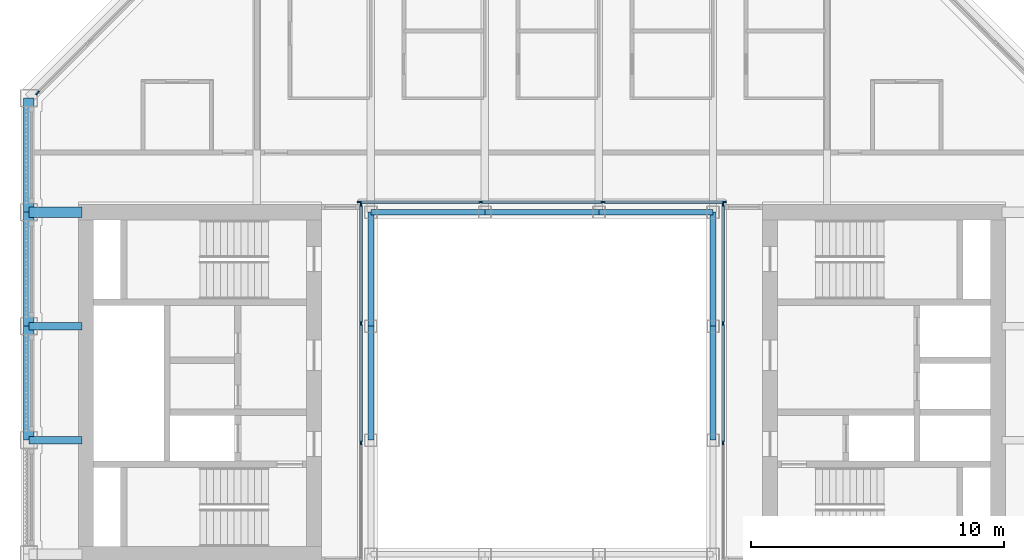
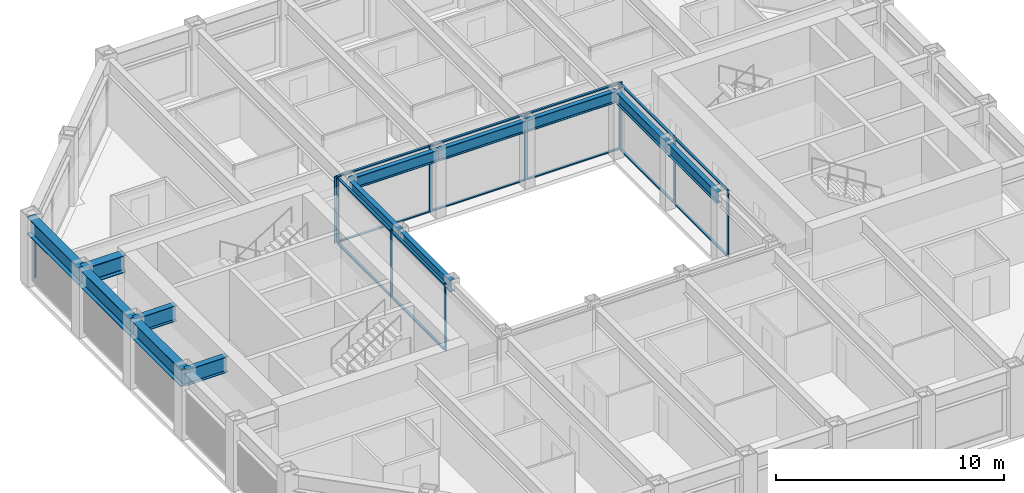
# One storey, part 4 of 18: 25 members, 13 beams, 4 elements without a shape of their own.
"""IFC4 building model written with IfcOpenShell, lengths in metres."""

from ifc_helpers import new_model, si_unit, direction, frame, origin, origin_2d, place, context, subcontext, project, spatial, rectangle, i_section, extrude, material, material_profile, profile_set, type_object, element, aggregate, save


model = new_model("IFC4")

# Units and contexts
model_context = context("Model", 3, precision=1e-05, world=origin(), true_north=direction((0.0, 1.0)))
body_context = subcontext(model_context, "Body", "Model", "MODEL_VIEW")
ifc_project = project(units=[si_unit("LENGTHUNIT", "METRE"), si_unit("AREAUNIT", "SQUARE_METRE"), si_unit("VOLUMEUNIT", "CUBIC_METRE"), si_unit("PLANEANGLEUNIT", "RADIAN"), si_unit("MASSUNIT", "GRAM", prefix="KILO")], contexts=[model_context])

# Site, building, storey
site_placement = place(None, origin())
site = spatial("IfcSite", under=ifc_project, at=site_placement, CompositionType="ELEMENT")
building_placement = place(site_placement, origin())
building = spatial("IfcBuilding", under=site, at=building_placement, Name="Msasa Ring Tower", CompositionType="ELEMENT")
storey_placement = place(building_placement, frame((0.0, 0.0, 249.550048828125)))
storey = spatial("IfcBuildingStorey", under=building, at=storey_placement, Name="L65", CompositionType="ELEMENT", Elevation=249.550048828125)

# Curtain wall, member
ifc_material_1 = material(Name="Aluminium curtain wall with clear glass", Category="aluminium")
curtain_wall_type_1 = type_object("IfcCurtainWallType", Name="CW-C CHAMFER CORNER CURTAIN WALL", PredefinedType="NOTDEFINED", material=ifc_material_1)
curtain_wall_1_placement = place(storey_placement, origin())
curtain_wall_1 = element("IfcCurtainWall", 1, at=curtain_wall_1_placement, inside=storey, type_object=curtain_wall_type_1, Name="Chamfer corner curtain wall NW L65", PredefinedType="NOTDEFINED")
ifc_material_2 = material(Name="Aluminium mullion", Category="aluminium")
ifc_material_profile_1 = material_profile(ifc_material_2, rectangle(XDim=0.06494140625, YDim=0.179931640625, at=origin_2d()), Name="AL 65x180")
ifc_profile_set_1 = profile_set([ifc_material_profile_1], Name="Aluminium mullion")
member_type_1 = type_object("IfcMemberType", Name="CW-C MULLION 65x180", PredefinedType="MULLION", material=ifc_profile_set_1)
member_1_placement = place(storey_placement, frame((-19.9052734375, 11.453369140625, 0.0), z_axis=(0.0, 0.0, 1.0), x_axis=(0.707106781187, -0.707106781187, 0.0)))
member_1 = element("IfcMember", 2, at=member_1_placement, type_object=member_type_1, Name="CW-C mullion 3", PredefinedType="MULLION", context=body_context, shape_type="SweptSolid", body=[
    extrude(rectangle(XDim=0.06494140625, YDim=0.179931640625, at=origin_2d()), origin(), (0.0, 0.0, 1.0), 2.62890625),
])
aggregate(curtain_wall_1, [member_1])

# Curtain wall, members
ifc_material_3 = material(Name="Aluminium curtain wall with clear glass", Category="aluminium")
curtain_wall_type_2 = type_object("IfcCurtainWallType", Name="CW-W LIGHT WELL CURTAIN WALL", PredefinedType="NOTDEFINED", material=ifc_material_3)
curtain_wall_2_placement = place(storey_placement, origin())
curtain_wall_2 = element("IfcCurtainWall", 3, at=curtain_wall_2_placement, inside=storey, type_object=curtain_wall_type_2, Name="Light well curtain wall N L65", PredefinedType="NOTDEFINED")
ifc_material_4 = material(Name="Aluminium mullion", Category="aluminium")
ifc_material_profile_2 = material_profile(ifc_material_4, rectangle(XDim=0.06005859375, YDim=0.159912109375, at=origin_2d()), Name="AL 60x160")
ifc_profile_set_2 = profile_set([ifc_material_profile_2], Name="Aluminium mullion")
member_type_2 = type_object("IfcMemberType", Name="CW-W MULLION 60x160", PredefinedType="MULLION", material=ifc_profile_set_2)
member_2_placement = place(storey_placement, frame((-7.199951171875, 7.14990234375, 0.0), z_axis=(0.0, 0.0, 1.0), x_axis=(0.0, 1.0, 0.0)))
member_2 = element("IfcMember", 4, at=member_2_placement, type_object=member_type_2, Name="CW-W mullion 1", PredefinedType="MULLION", context=body_context, shape_type="SweptSolid", body=[
    extrude(rectangle(XDim=0.06005859375, YDim=0.159912109375, at=origin_2d()), origin(), (0.0, 0.0, 1.0), 3.550048828125),
])
member_3_placement = place(storey_placement, frame((-2.409912109375, 7.14990234375, 0.0), z_axis=(0.0, 0.0, 1.0), x_axis=(0.0, 1.0, 0.0)))
member_3 = element("IfcMember", 5, at=member_3_placement, type_object=member_type_2, Name="CW-W mullion 2", PredefinedType="MULLION", context=body_context, shape_type="SweptSolid", body=[
    extrude(rectangle(XDim=0.06005859375, YDim=0.159912109375, at=origin_2d()), origin(), (0.0, 0.0, 1.0), 3.550048828125),
])
member_4_placement = place(storey_placement, frame((2.409912109375, 7.14990234375, 0.0), z_axis=(0.0, 0.0, 1.0), x_axis=(0.0, 1.0, 0.0)))
member_4 = element("IfcMember", 6, at=member_4_placement, type_object=member_type_2, Name="CW-W mullion 3", PredefinedType="MULLION", context=body_context, shape_type="SweptSolid", body=[
    extrude(rectangle(XDim=0.06005859375, YDim=0.159912109375, at=origin_2d()), origin(), (0.0, 0.0, 1.0), 3.550048828125),
])
member_5_placement = place(storey_placement, frame((7.199951171875, 7.14990234375, 0.0), z_axis=(0.0, 0.0, 1.0), x_axis=(0.0, 1.0, 0.0)))
member_5 = element("IfcMember", 7, at=member_5_placement, type_object=member_type_2, Name="CW-W mullion 4", PredefinedType="MULLION", context=body_context, shape_type="SweptSolid", body=[
    extrude(rectangle(XDim=0.06005859375, YDim=0.159912109375, at=origin_2d()), origin(), (0.0, 0.0, 1.0), 3.550048828125),
])

curtain_wall_3_placement = place(storey_placement, origin())
curtain_wall_3 = element("IfcCurtainWall", 8, at=curtain_wall_3_placement, inside=storey, type_object=curtain_wall_type_2, Name="Light well curtain wall E L65", PredefinedType="NOTDEFINED")
member_6_placement = place(storey_placement, frame((7.14990234375, -2.356689453125, 0.0), z_axis=(0.0, 0.0, 1.0), x_axis=(-1.0, 0.0, 0.0)))
member_6 = element("IfcMember", 9, at=member_6_placement, type_object=member_type_2, Name="CW-W mullion 2", PredefinedType="MULLION", context=body_context, shape_type="SweptSolid", body=[
    extrude(rectangle(XDim=0.06005859375, YDim=0.159912109375, at=origin_2d()), origin(), (0.0, 0.0, 1.0), 3.550048828125),
])
member_7_placement = place(storey_placement, frame((7.14990234375, 2.356689453125, 0.0), z_axis=(0.0, 0.0, 1.0), x_axis=(-1.0, 0.0, 0.0)))
member_7 = element("IfcMember", 10, at=member_7_placement, type_object=member_type_2, Name="CW-W mullion 3", PredefinedType="MULLION", context=body_context, shape_type="SweptSolid", body=[
    extrude(rectangle(XDim=0.06005859375, YDim=0.159912109375, at=origin_2d()), origin(), (0.0, 0.0, 1.0), 3.550048828125),
])
member_8_placement = place(storey_placement, frame((7.14990234375, 7.0400390625, 0.0), z_axis=(0.0, 0.0, 1.0), x_axis=(-1.0, 0.0, 0.0)))
member_8 = element("IfcMember", 11, at=member_8_placement, type_object=member_type_2, Name="CW-W mullion 4", PredefinedType="MULLION", context=body_context, shape_type="SweptSolid", body=[
    extrude(rectangle(XDim=0.06005859375, YDim=0.159912109375, at=origin_2d()), origin(), (0.0, 0.0, 1.0), 3.550048828125),
])

curtain_wall_4_placement = place(storey_placement, origin())
curtain_wall_4 = element("IfcCurtainWall", 12, at=curtain_wall_4_placement, inside=storey, type_object=curtain_wall_type_2, Name="Light well curtain wall W L65", PredefinedType="NOTDEFINED")
member_9_placement = place(storey_placement, frame((-7.14990234375, -2.356689453125, 0.0), z_axis=(0.0, 0.0, 1.0), x_axis=(-1.0, 0.0, 0.0)))
member_9 = element("IfcMember", 13, at=member_9_placement, type_object=member_type_2, Name="CW-W mullion 2", PredefinedType="MULLION", context=body_context, shape_type="SweptSolid", body=[
    extrude(rectangle(XDim=0.06005859375, YDim=0.159912109375, at=origin_2d()), origin(), (0.0, 0.0, 1.0), 3.550048828125),
])
member_10_placement = place(storey_placement, frame((-7.14990234375, 2.356689453125, 0.0), z_axis=(0.0, 0.0, 1.0), x_axis=(-1.0, 0.0, 0.0)))
member_10 = element("IfcMember", 14, at=member_10_placement, type_object=member_type_2, Name="CW-W mullion 3", PredefinedType="MULLION", context=body_context, shape_type="SweptSolid", body=[
    extrude(rectangle(XDim=0.06005859375, YDim=0.159912109375, at=origin_2d()), origin(), (0.0, 0.0, 1.0), 3.550048828125),
])
member_11_placement = place(storey_placement, frame((-7.14990234375, 7.0400390625, 0.0), z_axis=(0.0, 0.0, 1.0), x_axis=(-1.0, 0.0, 0.0)))
member_11 = element("IfcMember", 15, at=member_11_placement, type_object=member_type_2, Name="CW-W mullion 4", PredefinedType="MULLION", context=body_context, shape_type="SweptSolid", body=[
    extrude(rectangle(XDim=0.06005859375, YDim=0.159912109375, at=origin_2d()), origin(), (0.0, 0.0, 1.0), 3.550048828125),
])

# Member
ifc_material_5 = material(Name="Aluminium transom", Category="aluminium")
ifc_material_profile_3 = material_profile(ifc_material_5, rectangle(XDim=0.1201171875, YDim=0.06005859375, at=origin_2d()), Name="AL 60x120")
ifc_profile_set_3 = profile_set([ifc_material_profile_3], Name="Aluminium transom")
member_type_3 = type_object("IfcMemberType", Name="CW-W TRANSOM 60x120", PredefinedType="USERDEFINED", material=ifc_profile_set_3)
member_12_placement = place(storey_placement, frame((-7.169921875, 7.14990234375, 0.030029296875), z_axis=(1.0, 0.0, 0.0), x_axis=(0.0, 1.0, 0.0)))
member_12 = element("IfcMember", 16, at=member_12_placement, type_object=member_type_3, Name="CW-W transom 1.1", ObjectType="TRANSOM", PredefinedType="USERDEFINED", context=body_context, shape_type="SweptSolid", body=[
    extrude(rectangle(XDim=0.1201171875, YDim=0.06005859375, at=origin_2d()), origin(), (0.0, 0.0, 1.0), 4.72998046875),
])

member_13_placement = place(storey_placement, frame((-7.169921875, 7.14990234375, 3.52001953125), z_axis=(1.0, 0.0, 0.0), x_axis=(0.0, 1.0, 0.0)))
member_13 = element("IfcMember", 17, at=member_13_placement, type_object=member_type_3, Name="CW-W transom 1.2", ObjectType="TRANSOM", PredefinedType="USERDEFINED", context=body_context, shape_type="SweptSolid", body=[
    extrude(rectangle(XDim=0.1201171875, YDim=0.06005859375, at=origin_2d()), origin(), (0.0, 0.0, 1.0), 4.72998046875),
])

member_14_placement = place(storey_placement, frame((-2.3798828125, 7.14990234375, 0.030029296875), z_axis=(1.0, 0.0, 0.0), x_axis=(0.0, 1.0, 0.0)))
member_14 = element("IfcMember", 18, at=member_14_placement, type_object=member_type_3, Name="CW-W transom 2.1", ObjectType="TRANSOM", PredefinedType="USERDEFINED", context=body_context, shape_type="SweptSolid", body=[
    extrude(rectangle(XDim=0.1201171875, YDim=0.06005859375, at=origin_2d()), origin(), (0.0, 0.0, 1.0), 4.759765625),
])

member_15_placement = place(storey_placement, frame((-2.3798828125, 7.14990234375, 3.52001953125), z_axis=(1.0, 0.0, 0.0), x_axis=(0.0, 1.0, 0.0)))
member_15 = element("IfcMember", 19, at=member_15_placement, type_object=member_type_3, Name="CW-W transom 2.2", ObjectType="TRANSOM", PredefinedType="USERDEFINED", context=body_context, shape_type="SweptSolid", body=[
    extrude(rectangle(XDim=0.1201171875, YDim=0.06005859375, at=origin_2d()), origin(), (0.0, 0.0, 1.0), 4.759765625),
])

member_16_placement = place(storey_placement, frame((2.43994140625, 7.14990234375, 0.030029296875), z_axis=(1.0, 0.0, 0.0), x_axis=(0.0, 1.0, 0.0)))
member_16 = element("IfcMember", 20, at=member_16_placement, type_object=member_type_3, Name="CW-W transom 3.1", ObjectType="TRANSOM", PredefinedType="USERDEFINED", context=body_context, shape_type="SweptSolid", body=[
    extrude(rectangle(XDim=0.1201171875, YDim=0.06005859375, at=origin_2d()), origin(), (0.0, 0.0, 1.0), 4.72998046875),
])

member_17_placement = place(storey_placement, frame((2.43994140625, 7.14990234375, 3.52001953125), z_axis=(1.0, 0.0, 0.0), x_axis=(0.0, 1.0, 0.0)))
member_17 = element("IfcMember", 21, at=member_17_placement, type_object=member_type_3, Name="CW-W transom 3.2", ObjectType="TRANSOM", PredefinedType="USERDEFINED", context=body_context, shape_type="SweptSolid", body=[
    extrude(rectangle(XDim=0.1201171875, YDim=0.06005859375, at=origin_2d()), origin(), (0.0, 0.0, 1.0), 4.72998046875),
])

aggregate(curtain_wall_2, [member_2, member_3, member_4, member_5, member_12, member_13, member_14, member_15, member_16, member_17])

member_18_placement = place(storey_placement, frame((7.14990234375, -2.32666015625, 0.030029296875), z_axis=(0.0, 1.0, 0.0), x_axis=(-1.0, 0.0, 0.0)))
member_18 = element("IfcMember", 22, at=member_18_placement, type_object=member_type_3, Name="CW-W transom 2.1", ObjectType="TRANSOM", PredefinedType="USERDEFINED", context=body_context, shape_type="SweptSolid", body=[
    extrude(rectangle(XDim=0.1201171875, YDim=0.06005859375, at=origin_2d()), origin(), (0.0, 0.0, 1.0), 4.6533203125),
])

member_19_placement = place(storey_placement, frame((7.14990234375, -2.32666015625, 3.52001953125), z_axis=(0.0, 1.0, 0.0), x_axis=(-1.0, 0.0, 0.0)))
member_19 = element("IfcMember", 23, at=member_19_placement, type_object=member_type_3, Name="CW-W transom 2.2", ObjectType="TRANSOM", PredefinedType="USERDEFINED", context=body_context, shape_type="SweptSolid", body=[
    extrude(rectangle(XDim=0.1201171875, YDim=0.06005859375, at=origin_2d()), origin(), (0.0, 0.0, 1.0), 4.6533203125),
])

member_20_placement = place(storey_placement, frame((7.14990234375, 2.38671875, 0.030029296875), z_axis=(0.0, 1.0, 0.0), x_axis=(-1.0, 0.0, 0.0)))
member_20 = element("IfcMember", 24, at=member_20_placement, type_object=member_type_3, Name="CW-W transom 3.1", ObjectType="TRANSOM", PredefinedType="USERDEFINED", context=body_context, shape_type="SweptSolid", body=[
    extrude(rectangle(XDim=0.1201171875, YDim=0.06005859375, at=origin_2d()), origin(), (0.0, 0.0, 1.0), 4.623291015625),
])

member_21_placement = place(storey_placement, frame((7.14990234375, 2.38671875, 3.52001953125), z_axis=(0.0, 1.0, 0.0), x_axis=(-1.0, 0.0, 0.0)))
member_21 = element("IfcMember", 25, at=member_21_placement, type_object=member_type_3, Name="CW-W transom 3.2", ObjectType="TRANSOM", PredefinedType="USERDEFINED", context=body_context, shape_type="SweptSolid", body=[
    extrude(rectangle(XDim=0.1201171875, YDim=0.06005859375, at=origin_2d()), origin(), (0.0, 0.0, 1.0), 4.623291015625),
])

aggregate(curtain_wall_3, [member_6, member_7, member_8, member_18, member_19, member_20, member_21])

member_22_placement = place(storey_placement, frame((-7.14990234375, -2.32666015625, 0.030029296875), z_axis=(0.0, 1.0, 0.0), x_axis=(-1.0, 0.0, 0.0)))
member_22 = element("IfcMember", 26, at=member_22_placement, type_object=member_type_3, Name="CW-W transom 2.1", ObjectType="TRANSOM", PredefinedType="USERDEFINED", context=body_context, shape_type="SweptSolid", body=[
    extrude(rectangle(XDim=0.1201171875, YDim=0.06005859375, at=origin_2d()), origin(), (0.0, 0.0, 1.0), 4.6533203125),
])

member_23_placement = place(storey_placement, frame((-7.14990234375, -2.32666015625, 3.52001953125), z_axis=(0.0, 1.0, 0.0), x_axis=(-1.0, 0.0, 0.0)))
member_23 = element("IfcMember", 27, at=member_23_placement, type_object=member_type_3, Name="CW-W transom 2.2", ObjectType="TRANSOM", PredefinedType="USERDEFINED", context=body_context, shape_type="SweptSolid", body=[
    extrude(rectangle(XDim=0.1201171875, YDim=0.06005859375, at=origin_2d()), origin(), (0.0, 0.0, 1.0), 4.6533203125),
])

member_24_placement = place(storey_placement, frame((-7.14990234375, 2.38671875, 0.030029296875), z_axis=(0.0, 1.0, 0.0), x_axis=(-1.0, 0.0, 0.0)))
member_24 = element("IfcMember", 28, at=member_24_placement, type_object=member_type_3, Name="CW-W transom 3.1", ObjectType="TRANSOM", PredefinedType="USERDEFINED", context=body_context, shape_type="SweptSolid", body=[
    extrude(rectangle(XDim=0.1201171875, YDim=0.06005859375, at=origin_2d()), origin(), (0.0, 0.0, 1.0), 4.623291015625),
])

member_25_placement = place(storey_placement, frame((-7.14990234375, 2.38671875, 3.52001953125), z_axis=(0.0, 1.0, 0.0), x_axis=(-1.0, 0.0, 0.0)))
member_25 = element("IfcMember", 29, at=member_25_placement, type_object=member_type_3, Name="CW-W transom 3.2", ObjectType="TRANSOM", PredefinedType="USERDEFINED", context=body_context, shape_type="SweptSolid", body=[
    extrude(rectangle(XDim=0.1201171875, YDim=0.06005859375, at=origin_2d()), origin(), (0.0, 0.0, 1.0), 4.623291015625),
])

aggregate(curtain_wall_4, [member_9, member_10, member_11, member_22, member_23, member_24, member_25])

# Beams
ifc_material_6 = material(Name="Steel S355", Category="steel")
ifc_material_profile_4 = material_profile(ifc_material_6, i_section(OverallWidth=0.293701171875, OverallDepth=0.850830078125, WebThickness=0.01611328125, FlangeThickness=0.02685546875, FilletRadius=0.017822265625, at=origin_2d()), Name="UB 838x292x226")
ifc_profile_set_4 = profile_set([ifc_material_profile_4], Name="Steel S355")
beam_type_1 = type_object("IfcBeamType", Name="FB5 UB 838x292x226", PredefinedType="BEAM", material=ifc_profile_set_4)
for number, where, z_axis, x_axis, name in (
    (30, (-20.25, -2.25, 3.12451171875), (1.0, 0.0, 0.0), (0.0, 1.0, 0.0), "Floor beam W -2.25 under L66"),
    (31, (-20.25, 2.25, 3.12451171875), (1.0, 0.0, 0.0), (0.0, 1.0, 0.0), "Floor beam W +2.25 under L66"),
):
    element("IfcBeam", number, at=place(storey_placement, frame(where, z_axis=z_axis, x_axis=x_axis)), inside=storey, type_object=beam_type_1, Name=name, PredefinedType="BEAM", context=body_context, shape_type="SweptSolid", body=[
        extrude(i_section(OverallWidth=0.293701171875, OverallDepth=0.850830078125, WebThickness=0.01611328125, FlangeThickness=0.02685546875, FilletRadius=0.017822265625, at=origin_2d()), origin(), (0.0, 0.0, 1.0), 2.10009765625),
    ])
ifc_material_7 = material(Name="Steel S355", Category="steel")
ifc_material_profile_5 = material_profile(ifc_material_7, i_section(OverallWidth=0.42041015625, OverallDepth=0.9208984375, WebThickness=0.021484375, FlangeThickness=0.03662109375, FilletRadius=0.024169921875, at=origin_2d()), Name="UB 914x419x388")
ifc_profile_set_5 = profile_set([ifc_material_profile_5], Name="Steel S355")
beam_type_2 = type_object("IfcBeamType", Name="GB1 UB 914x419x388", PredefinedType="BEAM", material=ifc_profile_set_5)
beam_placement = place(storey_placement, frame((-18.14990234375, 6.75, 3.08935546875), z_axis=(-1.0, 0.0, 0.0), x_axis=(0.0, -1.0, 0.0)))
element("IfcBeam", 32, at=beam_placement, inside=storey, type_object=beam_type_2, Name="Girder W +6.75 under L66", PredefinedType="BEAM", context=body_context, shape_type="SweptSolid", body=[
    extrude(i_section(OverallWidth=0.42041015625, OverallDepth=0.9208984375, WebThickness=0.021484375, FlangeThickness=0.03662109375, FilletRadius=0.024169921875, at=origin_2d()), origin(), (0.0, 0.0, 1.0), 2.10009765625),
])
ifc_material_8 = material(Name="Steel S355", Category="steel")
ifc_material_profile_6 = material_profile(ifc_material_8, i_section(OverallWidth=0.230224609375, OverallDepth=0.6171875, WebThickness=0.01318359375, FlangeThickness=0.022216796875, FilletRadius=0.0126953125, at=origin_2d()), Name="UB 610x229x140")
ifc_profile_set_6 = profile_set([ifc_material_profile_6], Name="Steel S355")
beam_type_3 = type_object("IfcBeamType", Name="RB1 UB 610x229x140", PredefinedType="BEAM", material=ifc_profile_set_6)
for number, where, z_axis, x_axis, name in (
    (33, (6.75, -2.25, 3.241455078125), (0.0, 1.0, 0.0), (-1.0, 0.0, 0.0), "Inner ring beam IR+6.75-2.25 under L66"),
    (34, (6.75, 2.25, 3.241455078125), (0.0, 1.0, 0.0), (-1.0, 0.0, 0.0), "Inner ring beam IR+6.75+2.25 under L66"),
    (35, (6.75, 6.75, 3.241455078125), (-1.0, 0.0, 0.0), (0.0, -1.0, 0.0), "Inner ring beam IR+6.75+6.75 under L66"),
    (36, (2.25, 6.75, 3.241455078125), (-1.0, 0.0, 0.0), (0.0, -1.0, 0.0), "Inner ring beam IR+2.25+6.75 under L66"),
    (37, (-2.25, 6.75, 3.241455078125), (-1.0, 0.0, 0.0), (0.0, -1.0, 0.0), "Inner ring beam IR-2.25+6.75 under L66"),
    (38, (-6.75, 6.75, 3.241455078125), (0.0, -1.0, 0.0), (1.0, 0.0, 0.0), "Inner ring beam IR-6.75+6.75 under L66"),
    (39, (-6.75, 2.25, 3.241455078125), (0.0, -1.0, 0.0), (1.0, 0.0, 0.0), "Inner ring beam IR-6.75+2.25 under L66"),
):
    element("IfcBeam", number, at=place(storey_placement, frame(where, z_axis=z_axis, x_axis=x_axis)), inside=storey, type_object=beam_type_3, Name=name, PredefinedType="BEAM", context=body_context, shape_type="SweptSolid", body=[
        extrude(i_section(OverallWidth=0.230224609375, OverallDepth=0.6171875, WebThickness=0.01318359375, FlangeThickness=0.022216796875, FilletRadius=0.0126953125, at=origin_2d()), origin(), (0.0, 0.0, 1.0), 4.5),
    ])
ifc_material_9 = material(Name="Steel S355", Category="steel")
ifc_material_profile_7 = material_profile(ifc_material_9, i_section(OverallWidth=0.42041015625, OverallDepth=0.9208984375, WebThickness=0.021484375, FlangeThickness=0.03662109375, FilletRadius=0.024169921875, at=origin_2d()), Name="UB 914x419x388")
ifc_profile_set_7 = profile_set([ifc_material_profile_7], Name="Steel S355")
beam_type_4 = type_object("IfcBeamType", Name="SB1 UB 914x419x388", PredefinedType="SPANDREL", material=ifc_profile_set_7)
for number, where, z_axis, x_axis, name in (
    (40, (-20.25, 11.25, 3.08935546875), (0.0, -1.0, 0.0), (1.0, 0.0, 0.0), "Spandrel W+11.25 to W+6.75 under L66"),
    (41, (-20.25, 6.75, 3.08935546875), (0.0, -1.0, 0.0), (1.0, 0.0, 0.0), "Spandrel W+6.75 to W+2.25 under L66"),
    (42, (-20.25, 2.25, 3.08935546875), (0.0, -1.0, 0.0), (1.0, 0.0, 0.0), "Spandrel W+2.25 to W-2.25 under L66"),
):
    element("IfcBeam", number, at=place(storey_placement, frame(where, z_axis=z_axis, x_axis=x_axis)), inside=storey, type_object=beam_type_4, Name=name, PredefinedType="SPANDREL", context=body_context, shape_type="SweptSolid", body=[
        extrude(i_section(OverallWidth=0.42041015625, OverallDepth=0.9208984375, WebThickness=0.021484375, FlangeThickness=0.03662109375, FilletRadius=0.024169921875, at=origin_2d()), origin(), (0.0, 0.0, 1.0), 4.5),
    ])

save(model, "model.ifc")
